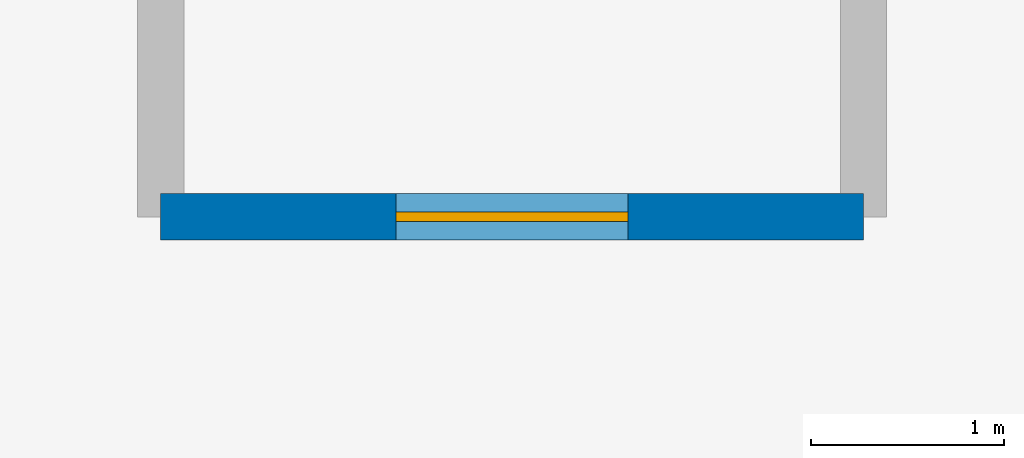
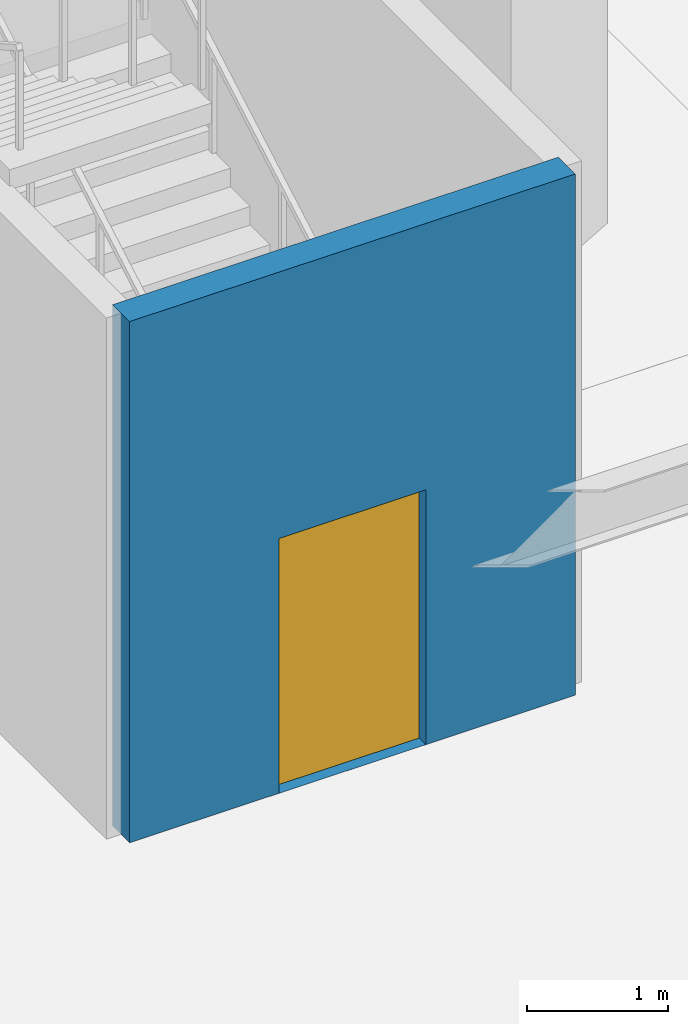
# One storey, part 8 of 19: 1 door, 1 wall, 1 opening.
"""IFC4 building model written with IfcOpenShell, lengths in metres."""

from ifc_helpers import new_model, si_unit, direction, frame, frame_2d, origin, place, context, subcontext, project, spatial, rectangle, extrude, source, transform, mapped, material, layer, layer_set, type_object, element, fill, save


model = new_model("IFC4")

# Units and contexts
model_context = context("Model", 3, precision=1e-05, world=origin(), true_north=direction((0.0, 1.0)))
body_context = subcontext(model_context, "Body", "Model", "MODEL_VIEW")
ifc_project = project(units=[si_unit("LENGTHUNIT", "METRE"), si_unit("AREAUNIT", "SQUARE_METRE"), si_unit("VOLUMEUNIT", "CUBIC_METRE"), si_unit("PLANEANGLEUNIT", "RADIAN"), si_unit("MASSUNIT", "GRAM", prefix="KILO")], contexts=[model_context])

# Site, building, storey
site_placement = place(None, origin())
site = spatial("IfcSite", under=ifc_project, at=site_placement, CompositionType="ELEMENT")
building_placement = place(site_placement, origin())
building = spatial("IfcBuilding", under=site, at=building_placement, Name="Liaohun Quay Tower", CompositionType="ELEMENT")
storey_placement = place(building_placement, frame((0.0, 0.0, -9.60009765625)))
storey = spatial("IfcBuildingStorey", under=building, at=storey_placement, Name="B2", CompositionType="ELEMENT", Elevation=-9.60009765625)

# Wall, opening, door
ifc_material_1 = material(Name="Concrete C50", Category="concrete")
ifc_layer = layer(ifc_material_1, 0.239990234375, Name="Concrete C50", Category="concrete")
ifc_layer_set = layer_set([ifc_layer], Name="Concrete C50")
wall_type = type_object("IfcWallType", Name="WAL-SHF-200", PredefinedType="SOLIDWALL", material=ifc_layer_set)
wall_placement = place(storey_placement, frame((31.10009765625, 32.0, 0.0), z_axis=(0.0, 0.0, 1.0), x_axis=(1.0, 0.0, 0.0)))
wall = element("IfcWall", 1, at=wall_placement, inside=storey, type_object=wall_type, Name="B2 Stairwell ST-P1 Structural Core Wall S", PredefinedType="SOLIDWALL", context=body_context, shape_type="SweptSolid", body=[
    extrude(rectangle(XDim=3.639892578125, YDim=0.239990234375, at=frame_2d((1.81982421875, 0.0))), origin(), (0.0, 0.0, 1.0), 4.5),
])
shared_shape_1 = source(origin(), body_context, "Body", "SweptSolid", [
    extrude(rectangle(XDim=1.199951171875, YDim=2.199951171875, at=frame_2d((0.60009765625, 1.10009765625))), frame((0.0, 0.1298828125, 0.0), z_axis=(0.0, -1.0, 0.0), x_axis=(1.0, 0.0, 0.0)), (0.0, 0.0, 1.0), 0.260009765625),
])
opening_placement = place(wall_placement, frame((1.219970703125, 0.0, 0.0)))
opening = element("IfcOpeningElement", 2, at=opening_placement, cuts=wall, Name="Opening SD1", PredefinedType="OPENING", context=body_context, shape_type="MappedRepresentation", body=[
    mapped(shared_shape_1, transform((0.0, 0.0, 0.0), x_axis=(1.0, 0.0, 0.0), y_axis=(0.0, 1.0, 0.0), z_axis=(0.0, 0.0, 1.0), scale=1.0)),
])
ifc_material_2 = material(Name="Galvanised steel fire door", Category="steel")
door_type = type_object("IfcDoorType", Name="DOR-STR-1200", OperationType="NOTDEFINED", PredefinedType="DOOR", material=ifc_material_2)
shared_shape_2 = source(origin(), body_context, "Body", "SweptSolid", [
    extrude(rectangle(XDim=1.199951171875, YDim=2.199951171875, at=frame_2d((0.60009765625, 1.10009765625))), frame((0.0, 0.02490234375, 0.0), z_axis=(0.0, -1.0, 0.0), x_axis=(1.0, 0.0, 0.0)), (0.0, 0.0, 1.0), 0.050048828125),
])
door_placement = place(opening_placement, origin())
door = element("IfcDoor", 3, at=door_placement, inside=storey, type_object=door_type, Name="B2 Protected Stair ST-P1 Fire Door", OperationType="SINGLE_SWING_LEFT", OverallHeight=2.199951171875, OverallWidth=1.199951171875, PredefinedType="DOOR", context=body_context, shape_type="MappedRepresentation", body=[
    mapped(shared_shape_2, transform((0.0, 0.0, 0.0), x_axis=(1.0, 0.0, 0.0), y_axis=(0.0, 1.0, 0.0), z_axis=(0.0, 0.0, 1.0), scale=1.0)),
])
fill(opening, door)

save(model, "model.ifc")
